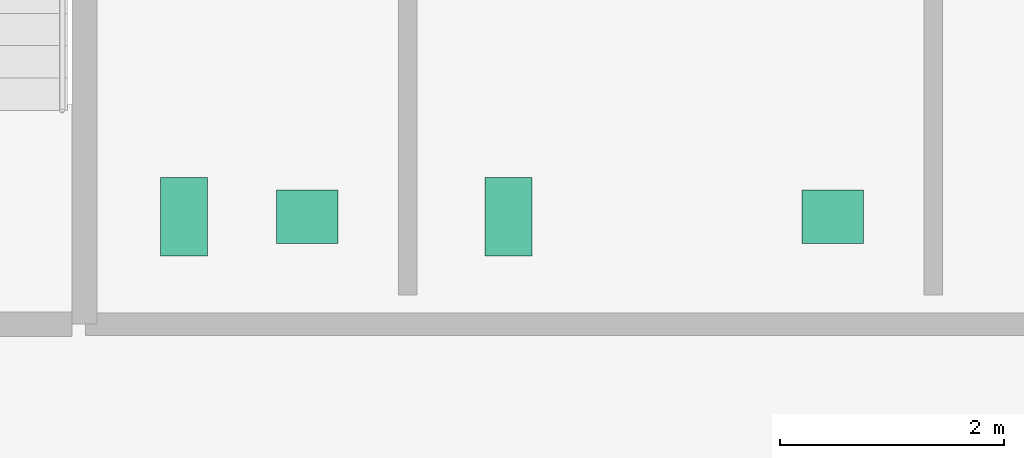
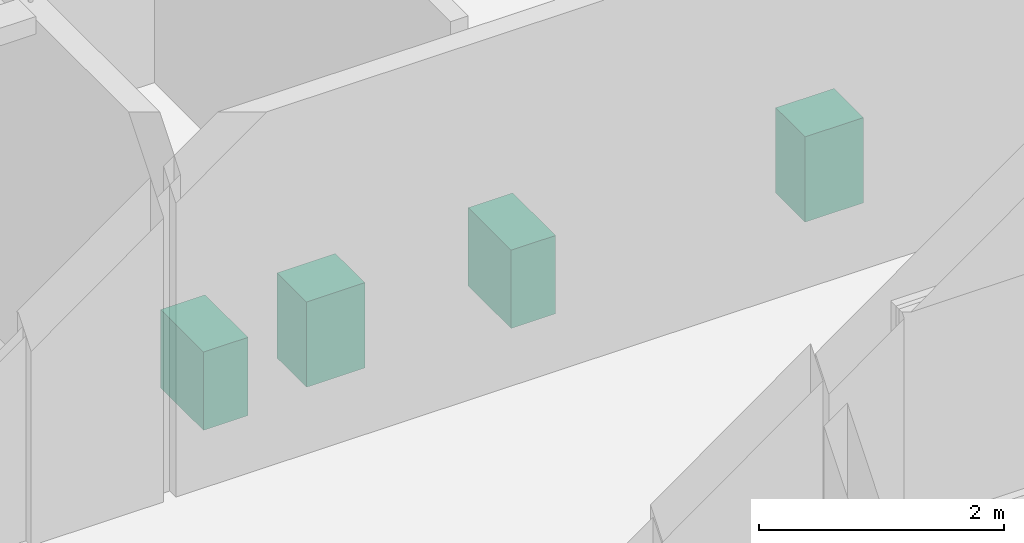
# One storey, part 13 of 13: 4 sanitary terminals.
"""IFC4 building model written with IfcOpenShell, lengths in metres."""

from ifc_helpers import new_model, si_unit, direction, frame, origin, origin_2d, place, context, subcontext, project, spatial, rectangle, extrude, material, type_object, element, save


model = new_model("IFC4")

# Units and contexts
model_context = context("Model", 3, precision=1e-05, world=origin(), true_north=direction((0.0, 1.0)))
body_context = subcontext(model_context, "Body", "Model", "MODEL_VIEW")
ifc_project = project(units=[si_unit("LENGTHUNIT", "METRE"), si_unit("AREAUNIT", "SQUARE_METRE"), si_unit("VOLUMEUNIT", "CUBIC_METRE"), si_unit("PLANEANGLEUNIT", "RADIAN"), si_unit("MASSUNIT", "GRAM", prefix="KILO")], contexts=[model_context])

# Site, building, storey
site_placement = place(None, origin())
site = spatial("IfcSite", under=ifc_project, at=site_placement, CompositionType="ELEMENT")
building_placement = place(site_placement, origin())
building = spatial("IfcBuilding", under=site, at=building_placement, Name="Norrvale University Quadrangle", CompositionType="ELEMENT")
storey_placement = place(building_placement, frame((0.0, 0.0, 39.39990234375)))
storey = spatial("IfcBuildingStorey", under=building, at=storey_placement, Name="L09", CompositionType="ELEMENT", Elevation=39.39990234375)

# Sanitary terminals
ifc_material = material(Name="Vitreous China Sanitaryware")
sanitary_terminal_type_1 = type_object("IfcSanitaryTerminalType", Name="Sanitary Wash Basin", PredefinedType="WASHHANDBASIN", material=ifc_material)
for number, where, z_axis, x_axis, name in (
    (1, (8.300048828125, 41.10009765625, 0.0), (0.0, 0.0, 1.0), (1.0, 0.0, 0.0), "Accessible Countertop Washbasin L09-1"),
    (2, (13.0, 41.10009765625, 0.0), (0.0, 0.0, 1.0), (1.0, 0.0, 0.0), "Accessible Countertop Washbasin L09-2"),
):
    element("IfcSanitaryTerminal", number, at=place(storey_placement, frame(where, z_axis=z_axis, x_axis=x_axis)), inside=storey, type_object=sanitary_terminal_type_1, Name=name, PredefinedType="WASHHANDBASIN", context=body_context, shape_type="SweptSolid", body=[
        extrude(rectangle(XDim=0.550048828125, YDim=0.47998046875, at=origin_2d()), origin(), (0.0, 0.0, 1.0), 0.85009765625),
    ])
sanitary_terminal_type_2 = type_object("IfcSanitaryTerminalType", Name="Sanitary Water Closet", PredefinedType="TOILETPAN", material=ifc_material)
for number, where, z_axis, x_axis, name in (
    (3, (7.199951171875, 41.10009765625, 0.0), (0.0, 0.0, 1.0), (1.0, 0.0, 0.0), "Wall-Hung Water Closet L09-1"),
    (4, (10.10009765625, 41.10009765625, 0.0), (0.0, 0.0, 1.0), (1.0, 0.0, 0.0), "Wall-Hung Water Closet L09-2"),
):
    element("IfcSanitaryTerminal", number, at=place(storey_placement, frame(where, z_axis=z_axis, x_axis=x_axis)), inside=storey, type_object=sanitary_terminal_type_2, Name=name, PredefinedType="TOILETPAN", context=body_context, shape_type="SweptSolid", body=[
        extrude(rectangle(XDim=0.419921875, YDim=0.699951171875, at=origin_2d()), origin(), (0.0, 0.0, 1.0), 0.780029296875),
    ])

save(model, "model.ifc")
